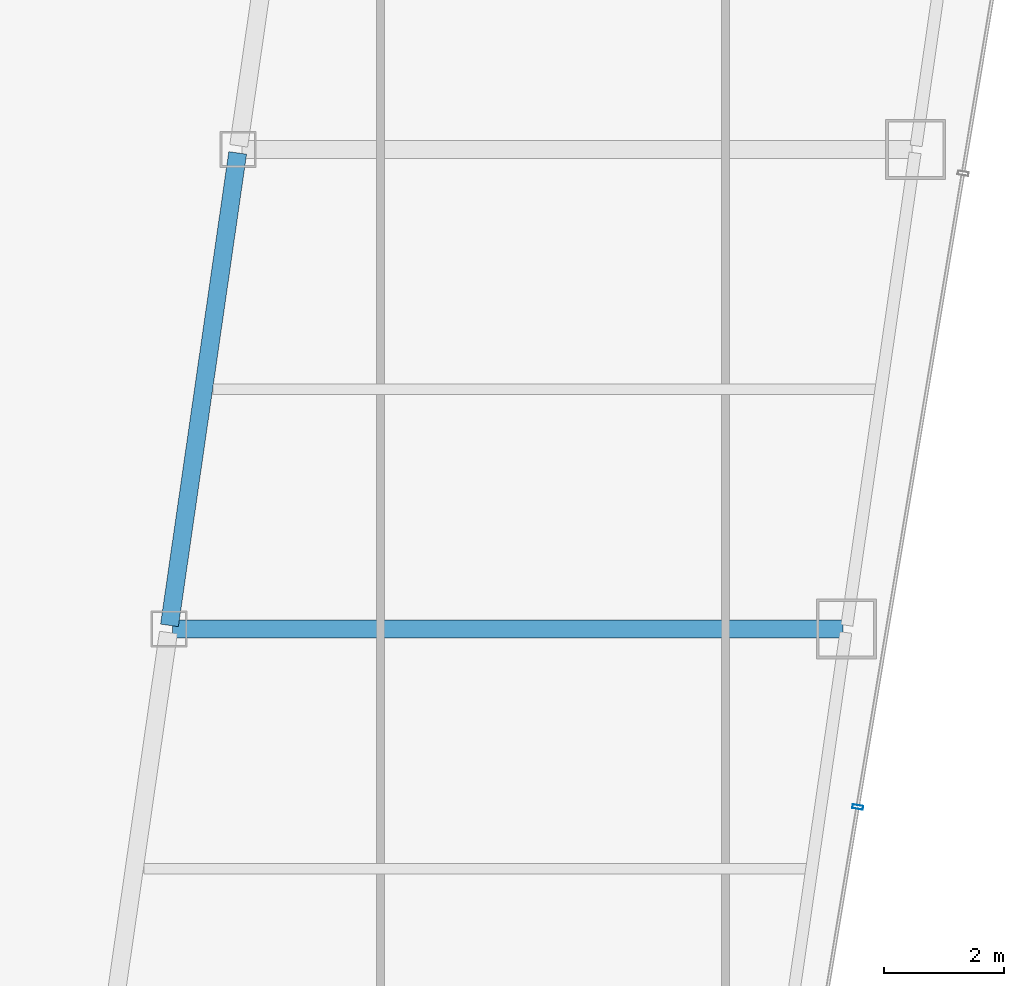
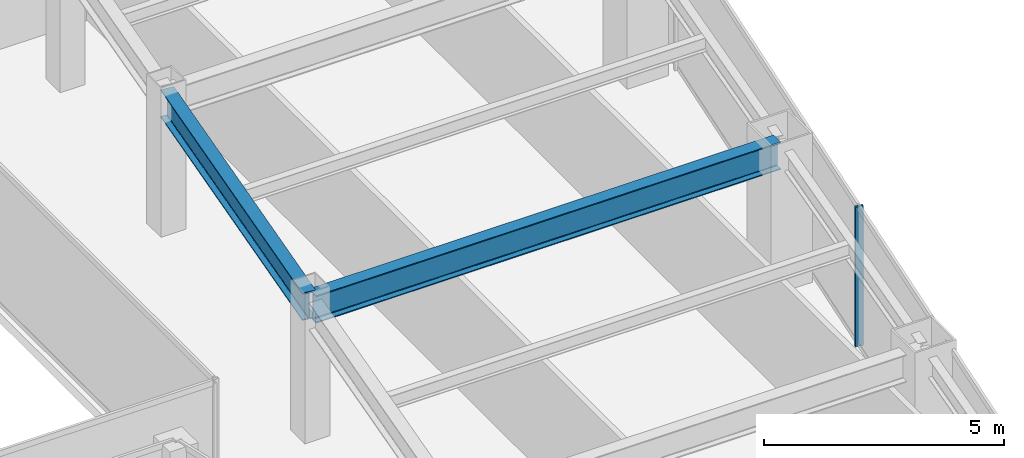
# One storey, part 16 of 36: 2 beams, 1 member, 1 element without a shape of its own.
"""IFC4 building model written with IfcOpenShell, lengths in metres."""

from ifc_helpers import new_model, si_unit, direction, frame, origin, origin_2d, place, context, subcontext, project, spatial, hollow_rectangle, i_section, extrude, material, material_profile, profile_set, type_object, element, aggregate, save


model = new_model("IFC4")

# Units and contexts
model_context = context("Model", 3, precision=1e-05, world=origin(), true_north=direction((0.0, 1.0)))
body_context = subcontext(model_context, "Body", "Model", "MODEL_VIEW")
ifc_project = project(units=[si_unit("LENGTHUNIT", "METRE"), si_unit("AREAUNIT", "SQUARE_METRE"), si_unit("VOLUMEUNIT", "CUBIC_METRE"), si_unit("PLANEANGLEUNIT", "RADIAN"), si_unit("MASSUNIT", "GRAM", prefix="KILO")], contexts=[model_context])

# Site, building, storey
site_placement = place(None, origin())
site = spatial("IfcSite", under=ifc_project, at=site_placement, CompositionType="ELEMENT")
building_placement = place(site_placement, origin())
building = spatial("IfcBuilding", under=site, at=building_placement, Name="Saevonmaru Cultural Tower", CompositionType="ELEMENT")
storey_placement = place(building_placement, frame((0.0, 0.0, 156.199951171875)))
storey = spatial("IfcBuildingStorey", under=building, at=storey_placement, Name="L34", CompositionType="ELEMENT", Elevation=156.199951171875)

# Beams
ifc_material_1 = material(Name="Steel SM355", Category="steel")
ifc_material_profile_1 = material_profile(ifc_material_1, i_section(OverallWidth=0.300048828125, OverallDepth=0.699951171875, WebThickness=0.012939453125, FlangeThickness=0.02392578125, FilletRadius=0.02587890625, at=origin_2d()), Name="H-700x300x13x24")
ifc_profile_set_1 = profile_set([ifc_material_profile_1], Name="Steel SM355")
beam_type = type_object("IfcBeamType", Name="BM-G-H700", PredefinedType="BEAM", material=ifc_profile_set_1)
beam_1_placement = place(storey_placement, frame((39.236572265625, 24.059326171875, 3.199951171875), z_axis=(0.142902032203, 0.989736838353, 0.0), x_axis=(-0.989736838353, 0.142902032203, 0.0)))
element("IfcBeam", 1, at=beam_1_placement, inside=storey, type_object=beam_type, Name="L34 East Atrium Girder 3", PredefinedType="BEAM", context=body_context, shape_type="SweptSolid", body=[
    extrude(i_section(OverallWidth=0.300048828125, OverallDepth=0.699951171875, WebThickness=0.012939453125, FlangeThickness=0.02392578125, FilletRadius=0.02587890625, at=origin_2d()), origin(), (0.0, 0.0, 1.0), 7.963134765625),
])
beam_2_placement = place(storey_placement, frame((39.2880859375, 24.0, 3.199951171875), z_axis=(1.0, 0.0, 0.0), x_axis=(0.0, 1.0, 0.0)))
element("IfcBeam", 2, at=beam_2_placement, inside=storey, type_object=beam_type, Name="L34 East Wing Transverse Girder 3", PredefinedType="BEAM", context=body_context, shape_type="SweptSolid", body=[
    extrude(i_section(OverallWidth=0.300048828125, OverallDepth=0.699951171875, WebThickness=0.012939453125, FlangeThickness=0.02392578125, FilletRadius=0.02587890625, at=origin_2d()), origin(), (0.0, 0.0, 1.0), 11.179931640625),
])

# Curtain wall, member
ifc_material_2 = material(Name="Satin Bronze Anodised Aluminium", Category="aluminium")
curtain_wall_type = type_object("IfcCurtainWallType", Name="CW-TYP-A", PredefinedType="NOTDEFINED", material=ifc_material_2)
curtain_wall_placement = place(storey_placement, origin())
curtain_wall = element("IfcCurtainWall", 3, at=curtain_wall_placement, inside=storey, type_object=curtain_wall_type, Name="L34 Unitised Curtain Wall E8", PredefinedType="NOTDEFINED")
ifc_material_profile_2 = material_profile(ifc_material_2, hollow_rectangle(XDim=0.06494140625, YDim=0.179931640625, WallThickness=0.00390625, at=origin_2d()), Name="ALU-MULL-180x65x4")
ifc_profile_set_2 = profile_set([ifc_material_profile_2], Name="Satin Bronze Anodised Aluminium")
member_type = type_object("IfcMemberType", Name="ML-CW-180x65", PredefinedType="MULLION", material=ifc_profile_set_2)
member_placement = place(storey_placement, frame((50.71826171875, 21.029541015625, 0.0), z_axis=(0.0, 0.0, 1.0), x_axis=(0.163998702345, 0.986460554523, 0.0)))
member = element("IfcMember", 4, at=member_placement, type_object=member_type, Name="CW-TW-L34-E8 mullion 2", PredefinedType="MULLION", context=body_context, shape_type="SweptSolid", body=[
    extrude(hollow_rectangle(XDim=0.06494140625, YDim=0.179931640625, WallThickness=0.00390625, at=origin_2d()), origin(), (0.0, 0.0, 1.0), 3.550048828125),
])
aggregate(curtain_wall, [member])

save(model, "model.ifc")
